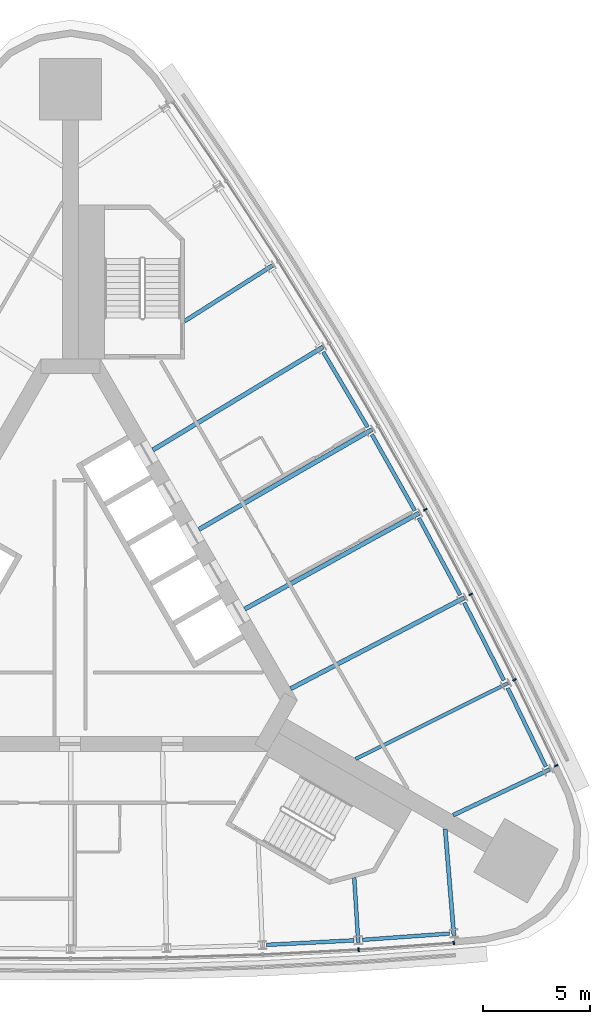
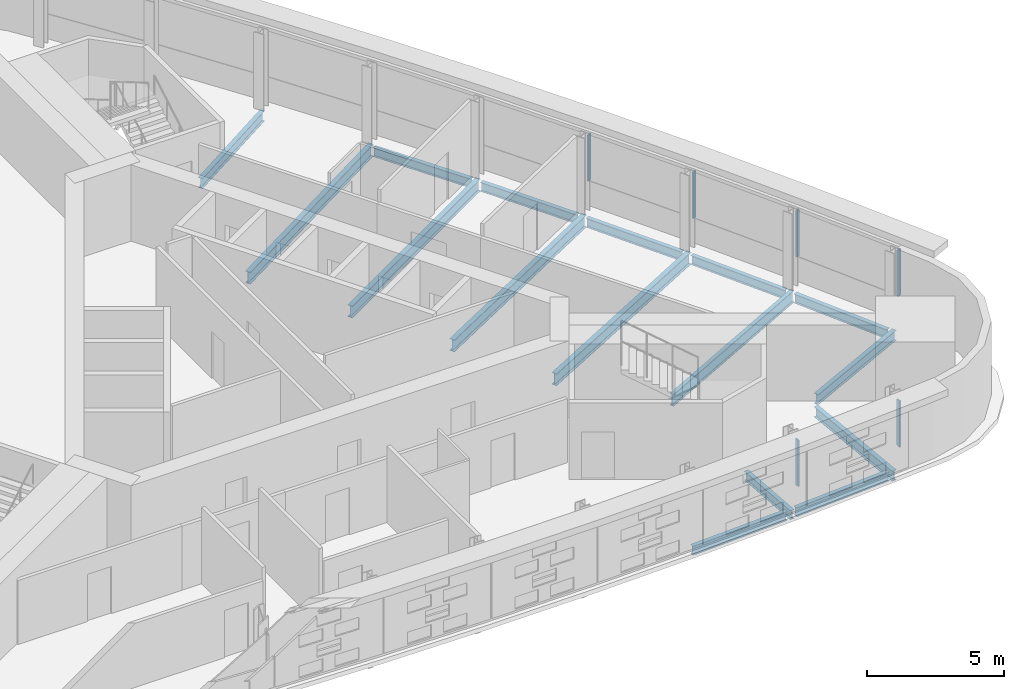
# One storey, part 5 of 13: 16 beams, 6 members, 2 elements without a shape of their own.
"""IFC4 building model written with IfcOpenShell, lengths in metres."""

from ifc_helpers import new_model, si_unit, direction, frame, origin, origin_2d, place, context, subcontext, project, spatial, rectangle, i_section, extrude, material, material_profile, profile_set, type_object, element, aggregate, save


model = new_model("IFC4")

# Units and contexts
model_context = context("Model", 3, precision=1e-05, world=origin(), true_north=direction((0.0, 1.0)))
body_context = subcontext(model_context, "Body", "Model", "MODEL_VIEW")
ifc_project = project(units=[si_unit("LENGTHUNIT", "METRE"), si_unit("AREAUNIT", "SQUARE_METRE"), si_unit("VOLUMEUNIT", "CUBIC_METRE"), si_unit("PLANEANGLEUNIT", "RADIAN"), si_unit("MASSUNIT", "GRAM", prefix="KILO")], contexts=[model_context])

# Site, building, storey
site_placement = place(None, origin())
site = spatial("IfcSite", under=ifc_project, at=site_placement, CompositionType="ELEMENT")
building_placement = place(site_placement, origin())
building = spatial("IfcBuilding", under=site, at=building_placement, Name="Noor Cloister Tower", CompositionType="ELEMENT")
storey_placement = place(building_placement, frame((0.0, 0.0, 140.10009765625)))
storey = spatial("IfcBuildingStorey", under=building, at=storey_placement, Name="L35", CompositionType="ELEMENT", Elevation=140.10009765625)

# Curtain wall, members
ifc_material_1 = material(Name="Aluminium 6063-T6 anodised", Category="aluminium")
curtain_wall_type = type_object("IfcCurtainWallType", Name="Ribbon curtain wall, upper tower CW5", PredefinedType="NOTDEFINED", material=ifc_material_1)
curtain_wall_1_placement = place(storey_placement, origin())
curtain_wall_1 = element("IfcCurtainWall", 1, at=curtain_wall_1_placement, inside=storey, type_object=curtain_wall_type, Name="CW5 L35 S run 2", PredefinedType="NOTDEFINED")
ifc_material_2 = material(Name="Aluminium 6063-T6 anodised", Category="aluminium")
ifc_material_profile_1 = material_profile(ifc_material_2, rectangle(XDim=0.179931640625, YDim=0.070068359375, at=origin_2d()), Name="180 x 70 mullion")
ifc_profile_set_1 = profile_set([ifc_material_profile_1], Name="Aluminium 6063-T6 anodised")
member_type = type_object("IfcMemberType", Name="Mullion CW5 70 x 180", PredefinedType="MULLION", material=ifc_profile_set_1)
member_1_placement = place(storey_placement, frame((13.4853515625, -16.20751953125, 1.099853515625), z_axis=(0.0, 0.0, 1.0), x_axis=(-0.061471387632, 0.99810884602, 0.0)))
member_1 = element("IfcMember", 2, at=member_1_placement, type_object=member_type, Name="CW5 mullion 8", PredefinedType="MULLION", context=body_context, shape_type="SweptSolid", body=[
    extrude(rectangle(XDim=0.179931640625, YDim=0.070068359375, at=origin_2d()), origin(), (0.0, 0.0, 1.0), 2.050048828125),
])
member_2_placement = place(storey_placement, frame((17.937744140625, -15.8876953125, 1.099853515625), z_axis=(0.0, 0.0, 1.0), x_axis=(-0.07170028816, 0.997426222173, 0.0)))
member_2 = element("IfcMember", 3, at=member_2_placement, type_object=member_type, Name="CW5 mullion 9", PredefinedType="MULLION", context=body_context, shape_type="SweptSolid", body=[
    extrude(rectangle(XDim=0.179931640625, YDim=0.070068359375, at=origin_2d()), origin(), (0.0, 0.0, 1.0), 2.050048828125),
])
aggregate(curtain_wall_1, [member_1, member_2])

curtain_wall_2_placement = place(storey_placement, origin())
curtain_wall_2 = element("IfcCurtainWall", 4, at=curtain_wall_2_placement, inside=storey, type_object=curtain_wall_type, Name="CW5 L35 NE run 3", PredefinedType="NOTDEFINED")
member_3_placement = place(storey_placement, frame((22.72802734375, -7.5908203125, 1.099853515625), z_axis=(0.0, 0.0, 1.0), x_axis=(-0.899646590882, -0.436618840081, 0.0)))
member_3 = element("IfcMember", 5, at=member_3_placement, type_object=member_type, Name="CW5 mullion 1", PredefinedType="MULLION", context=body_context, shape_type="SweptSolid", body=[
    extrude(rectangle(XDim=0.179931640625, YDim=0.070068359375, at=origin_2d()), origin(), (0.0, 0.0, 1.0), 2.050048828125),
])
member_4_placement = place(storey_placement, frame((20.77880859375, -3.57470703125, 1.099853515625), z_axis=(0.0, 0.0, 1.0), x_axis=(-0.895123310211, -0.445818639714, 0.0)))
member_4 = element("IfcMember", 6, at=member_4_placement, type_object=member_type, Name="CW5 mullion 2", PredefinedType="MULLION", context=body_context, shape_type="SweptSolid", body=[
    extrude(rectangle(XDim=0.179931640625, YDim=0.070068359375, at=origin_2d()), origin(), (0.0, 0.0, 1.0), 2.050048828125),
])
member_5_placement = place(storey_placement, frame((18.732421875, 0.4306640625, 1.099853515625), z_axis=(0.0, 0.0, 1.0), x_axis=(-0.885795011473, -0.464076715262, 0.0)))
member_5 = element("IfcMember", 7, at=member_5_placement, type_object=member_type, Name="CW5 mullion 3", PredefinedType="MULLION", context=body_context, shape_type="SweptSolid", body=[
    extrude(rectangle(XDim=0.179931640625, YDim=0.070068359375, at=origin_2d()), origin(), (0.0, 0.0, 1.0), 2.050048828125),
])
member_6_placement = place(storey_placement, frame((16.6044921875, 4.39306640625, 1.099853515625), z_axis=(0.0, 0.0, 1.0), x_axis=(-0.876094355533, -0.482139689512, 0.0)))
member_6 = element("IfcMember", 8, at=member_6_placement, type_object=member_type, Name="CW5 mullion 4", PredefinedType="MULLION", context=body_context, shape_type="SweptSolid", body=[
    extrude(rectangle(XDim=0.179931640625, YDim=0.070068359375, at=origin_2d()), origin(), (0.0, 0.0, 1.0), 2.050048828125),
])
aggregate(curtain_wall_2, [member_3, member_4, member_5, member_6])

# Beams
ifc_material_3 = material(Name="Steel ASTM A992 Gr 50", Category="steel")
ifc_material_profile_2 = material_profile(ifc_material_3, i_section(OverallWidth=0.177978515625, OverallDepth=0.406005859375, WebThickness=0.0078125, FlangeThickness=0.0126953125, FilletRadius=0.01025390625, at=origin_2d()), Name="W410x60")
ifc_profile_set_2 = profile_set([ifc_material_profile_2], Name="Steel ASTM A992 Gr 50")
beam_type_1 = type_object("IfcBeamType", Name="Radial beam W410x60", PredefinedType="BEAM", material=ifc_profile_set_2)
beam_1_placement = place(storey_placement, frame((13.46435546875, -15.865234375, -0.403076171875), z_axis=(-0.061507296189, 0.99810663384, 0.0), x_axis=(-0.99810663384, -0.061507296189, 0.0)))
element("IfcBeam", 9, at=beam_1_placement, inside=storey, type_object=beam_type_1, Name="Radial beam S 08 L35", PredefinedType="BEAM", context=body_context, shape_type="SweptSolid", body=[
    extrude(i_section(OverallWidth=0.177978515625, OverallDepth=0.406005859375, WebThickness=0.0078125, FlangeThickness=0.0126953125, FilletRadius=0.01025390625, at=origin_2d()), origin(), (0.0, 0.0, 1.0), 3.03662109375),
])
ifc_material_4 = material(Name="Steel ASTM A992 Gr 50", Category="steel")
ifc_material_profile_3 = material_profile(ifc_material_4, i_section(OverallWidth=0.19091796875, OverallDepth=0.45703125, WebThickness=0.009033203125, FlangeThickness=0.014404296875, FilletRadius=0.01025390625, at=origin_2d()), Name="W460x74")
ifc_profile_set_3 = profile_set([ifc_material_profile_3], Name="Steel ASTM A992 Gr 50")
beam_type_2 = type_object("IfcBeamType", Name="Radial beam W460x74", PredefinedType="BEAM", material=ifc_profile_set_3)
for number, where, z_axis, x_axis, name in (
    (10, (17.943603515625, -15.543212890625, -0.4287109375), (-0.081918876105, 0.996639000711, 0.0), (-0.996639000711, -0.081918876105, 0.0), "Radial beam S 09 L35"),
    (11, (22.4326171875, -7.767822265625, -0.4287109375), (-0.90406541137, -0.427394117841, 0.0), (0.427394117841, -0.90406541137, 0.0), "Radial beam NE 01 L35"),
):
    element("IfcBeam", number, at=place(storey_placement, frame(where, z_axis=z_axis, x_axis=x_axis)), inside=storey, type_object=beam_type_2, Name=name, PredefinedType="BEAM", context=body_context, shape_type="SweptSolid", body=[
        extrude(i_section(OverallWidth=0.19091796875, OverallDepth=0.45703125, WebThickness=0.009033203125, FlangeThickness=0.014404296875, FilletRadius=0.01025390625, at=origin_2d()), origin(), (0.0, 0.0, 1.0), 5.00390625),
    ])
beam_2_placement = place(storey_placement, frame((9.449462890625, 15.823974609375, -0.4287109375), z_axis=(-0.844811521097, -0.535064009089, 0.0), x_axis=(0.535064009089, -0.844811521097, 0.0)))
element("IfcBeam", 12, at=beam_2_placement, inside=storey, type_object=beam_type_2, Name="Radial beam NE 07 L35", PredefinedType="BEAM", context=body_context, shape_type="SweptSolid", body=[
    extrude(i_section(OverallWidth=0.19091796875, OverallDepth=0.45703125, WebThickness=0.009033203125, FlangeThickness=0.014404296875, FilletRadius=0.01025390625, at=origin_2d()), origin(), (0.0, 0.0, 1.0), 4.869384765625),
])
ifc_material_5 = material(Name="Steel ASTM A992 Gr 50", Category="steel")
ifc_material_profile_4 = material_profile(ifc_material_5, i_section(OverallWidth=0.166015625, OverallDepth=0.528076171875, WebThickness=0.009765625, FlangeThickness=0.013671875, FilletRadius=0.0126953125, at=origin_2d()), Name="W530x74")
ifc_profile_set_4 = profile_set([ifc_material_profile_4], Name="Steel ASTM A992 Gr 50")
beam_type_3 = type_object("IfcBeamType", Name="Radial beam W530x74", PredefinedType="BEAM", material=ifc_profile_set_4)
beam_3_placement = place(storey_placement, frame((20.471923828125, -3.727783203125, -0.464111328125), z_axis=(-0.895131847729, -0.445801497508, 0.0), x_axis=(0.445801497508, -0.895131847729, 0.0)))
element("IfcBeam", 13, at=beam_3_placement, inside=storey, type_object=beam_type_3, Name="Radial beam NE 02 L35", PredefinedType="BEAM", context=body_context, shape_type="SweptSolid", body=[
    extrude(i_section(OverallWidth=0.166015625, OverallDepth=0.528076171875, WebThickness=0.009765625, FlangeThickness=0.013671875, FilletRadius=0.0126953125, at=origin_2d()), origin(), (0.0, 0.0, 1.0), 7.9560546875),
])
ifc_material_6 = material(Name="Steel ASTM A992 Gr 50", Category="steel")
ifc_material_profile_5 = material_profile(ifc_material_6, i_section(OverallWidth=0.208984375, OverallDepth=0.532958984375, WebThickness=0.01025390625, FlangeThickness=0.015625, FilletRadius=0.0126953125, at=origin_2d()), Name="W530x92")
ifc_profile_set_5 = profile_set([ifc_material_profile_5], Name="Steel ASTM A992 Gr 50")
beam_type_4 = type_object("IfcBeamType", Name="Radial beam W530x92", PredefinedType="BEAM", material=ifc_profile_set_5)
beam_4_placement = place(storey_placement, frame((18.4287109375, 0.271484375, -0.466552734375), z_axis=(-0.885788824469, -0.464088524364, 0.0), x_axis=(0.464088524364, -0.885788824469, 0.0)))
element("IfcBeam", 14, at=beam_4_placement, inside=storey, type_object=beam_type_4, Name="Radial beam NE 03 L35", PredefinedType="BEAM", context=body_context, shape_type="SweptSolid", body=[
    extrude(i_section(OverallWidth=0.208984375, OverallDepth=0.532958984375, WebThickness=0.01025390625, FlangeThickness=0.015625, FilletRadius=0.0126953125, at=origin_2d()), origin(), (0.0, 0.0, 1.0), 9.175048828125),
])
beam_5_placement = place(storey_placement, frame((16.303955078125, 4.227783203125, -0.466552734375), z_axis=(-0.876099025266, -0.48213120406, 0.0), x_axis=(0.48213120406, -0.876099025266, 0.0)))
element("IfcBeam", 15, at=beam_5_placement, inside=storey, type_object=beam_type_4, Name="Radial beam NE 04 L35", PredefinedType="BEAM", context=body_context, shape_type="SweptSolid", body=[
    extrude(i_section(OverallWidth=0.208984375, OverallDepth=0.532958984375, WebThickness=0.01025390625, FlangeThickness=0.015625, FilletRadius=0.0126953125, at=origin_2d()), origin(), (0.0, 0.0, 1.0), 9.30712890625),
])
beam_6_placement = place(storey_placement, frame((14.098388671875, 8.1396484375, -0.466552734375), z_axis=(-0.866028634529, -0.499994404144, 0.0), x_axis=(0.499994404144, -0.866028634529, 0.0)))
element("IfcBeam", 16, at=beam_6_placement, inside=storey, type_object=beam_type_4, Name="Radial beam NE 05 L35", PredefinedType="BEAM", context=body_context, shape_type="SweptSolid", body=[
    extrude(i_section(OverallWidth=0.208984375, OverallDepth=0.532958984375, WebThickness=0.01025390625, FlangeThickness=0.015625, FilletRadius=0.0126953125, at=origin_2d()), origin(), (0.0, 0.0, 1.0), 9.35107421875),
])
beam_7_placement = place(storey_placement, frame((11.813232421875, 12.005615234375, -0.466552734375), z_axis=(-0.855591496874, -0.517651611102, 0.0), x_axis=(0.517651611102, -0.855591496874, 0.0)))
element("IfcBeam", 17, at=beam_7_placement, inside=storey, type_object=beam_type_4, Name="Radial beam NE 06 L35", PredefinedType="BEAM", context=body_context, shape_type="SweptSolid", body=[
    extrude(i_section(OverallWidth=0.208984375, OverallDepth=0.532958984375, WebThickness=0.01025390625, FlangeThickness=0.015625, FilletRadius=0.0126953125, at=origin_2d()), origin(), (0.0, 0.0, 1.0), 9.30712890625),
])
ifc_material_7 = material(Name="Steel ASTM A992 Gr 50", Category="steel")
ifc_material_profile_6 = material_profile(ifc_material_7, i_section(OverallWidth=0.177978515625, OverallDepth=0.406005859375, WebThickness=0.0078125, FlangeThickness=0.0126953125, FilletRadius=0.01025390625, at=origin_2d()), Name="W410x60")
ifc_profile_set_6 = profile_set([ifc_material_profile_6], Name="Steel ASTM A992 Gr 50")
beam_type_5 = type_object("IfcBeamType", Name="Spandrel beam W410x60", PredefinedType="SPANDREL", material=ifc_profile_set_6)
beam_8_placement = place(storey_placement, frame((9.174072265625, -15.978271484375, -0.403076171875), z_axis=(0.998687506896, 0.051217805195, 0.0), x_axis=(-0.051217805195, 0.998687506896, 0.0)))
element("IfcBeam", 18, at=beam_8_placement, inside=storey, type_object=beam_type_5, Name="Spandrel beam S 07 L35", PredefinedType="SPANDREL", context=body_context, shape_type="SweptSolid", body=[
    extrude(i_section(OverallWidth=0.177978515625, OverallDepth=0.406005859375, WebThickness=0.0078125, FlangeThickness=0.0126953125, FilletRadius=0.01025390625, at=origin_2d()), origin(), (0.0, 0.0, 1.0), 4.08984375),
])
beam_9_placement = place(storey_placement, frame((13.65673828125, -15.744140625, -0.403076171875), z_axis=(0.997426476939, 0.071696744003, 0.0), x_axis=(-0.071696744003, 0.997426476939, 0.0)))
element("IfcBeam", 19, at=beam_9_placement, inside=storey, type_object=beam_type_5, Name="Spandrel beam S 08 L35", PredefinedType="SPANDREL", context=body_context, shape_type="SweptSolid", body=[
    extrude(i_section(OverallWidth=0.177978515625, OverallDepth=0.406005859375, WebThickness=0.0078125, FlangeThickness=0.0126953125, FilletRadius=0.01025390625, at=origin_2d()), origin(), (0.0, 0.0, 1.0), 4.089599609375),
])
beam_10_placement = place(storey_placement, frame((22.248779296875, -7.63427734375, -0.403076171875), z_axis=(-0.436604481066, 0.899653559495, 0.0), x_axis=(-0.899653559495, -0.436604481066, 0.0)))
element("IfcBeam", 20, at=beam_10_placement, inside=storey, type_object=beam_type_5, Name="Spandrel beam NE 01 L35", PredefinedType="SPANDREL", context=body_context, shape_type="SweptSolid", body=[
    extrude(i_section(OverallWidth=0.177978515625, OverallDepth=0.406005859375, WebThickness=0.0078125, FlangeThickness=0.0126953125, FilletRadius=0.01025390625, at=origin_2d()), origin(), (0.0, 0.0, 1.0), 4.08984375),
])
beam_11_placement = place(storey_placement, frame((20.285400390625, -3.597900390625, -0.403076171875), z_axis=(-0.455004823402, 0.890488972801, 0.0), x_axis=(-0.890488972801, -0.455004823402, 0.0)))
element("IfcBeam", 21, at=beam_11_placement, inside=storey, type_object=beam_type_5, Name="Spandrel beam NE 02 L35", PredefinedType="SPANDREL", context=body_context, shape_type="SweptSolid", body=[
    extrude(i_section(OverallWidth=0.177978515625, OverallDepth=0.406005859375, WebThickness=0.0078125, FlangeThickness=0.0126953125, FilletRadius=0.01025390625, at=origin_2d()), origin(), (0.0, 0.0, 1.0), 4.089599609375),
])
beam_12_placement = place(storey_placement, frame((18.239501953125, 0.3974609375, -0.403076171875), z_axis=(-0.473145514106, 0.880984291847, 0.0), x_axis=(-0.880984291847, -0.473145514106, 0.0)))
element("IfcBeam", 22, at=beam_12_placement, inside=storey, type_object=beam_type_5, Name="Spandrel beam NE 03 L35", PredefinedType="SPANDREL", context=body_context, shape_type="SweptSolid", body=[
    extrude(i_section(OverallWidth=0.177978515625, OverallDepth=0.406005859375, WebThickness=0.0078125, FlangeThickness=0.0126953125, FilletRadius=0.01025390625, at=origin_2d()), origin(), (0.0, 0.0, 1.0), 4.08984375),
])
for number, where, z_axis, x_axis, name in (
    (23, (16.1123046875, 4.349853515625, -0.403076171875), (-0.491122612788, 0.871090454091, 0.0), (-0.871090454091, -0.491122612788, 0.0), "Spandrel beam NE 04 L35"),
    (24, (13.904296875, 8.258056640625, -0.403076171875), (-0.508866071809, 0.860845701018, 0.0), (-0.860845701018, -0.508866071809, 0.0), "Spandrel beam NE 05 L35"),
):
    element("IfcBeam", number, at=place(storey_placement, frame(where, z_axis=z_axis, x_axis=x_axis)), inside=storey, type_object=beam_type_5, Name=name, PredefinedType="SPANDREL", context=body_context, shape_type="SweptSolid", body=[
        extrude(i_section(OverallWidth=0.177978515625, OverallDepth=0.406005859375, WebThickness=0.0078125, FlangeThickness=0.0126953125, FilletRadius=0.01025390625, at=origin_2d()), origin(), (0.0, 0.0, 1.0), 4.089599609375),
    ])

save(model, "model.ifc")
